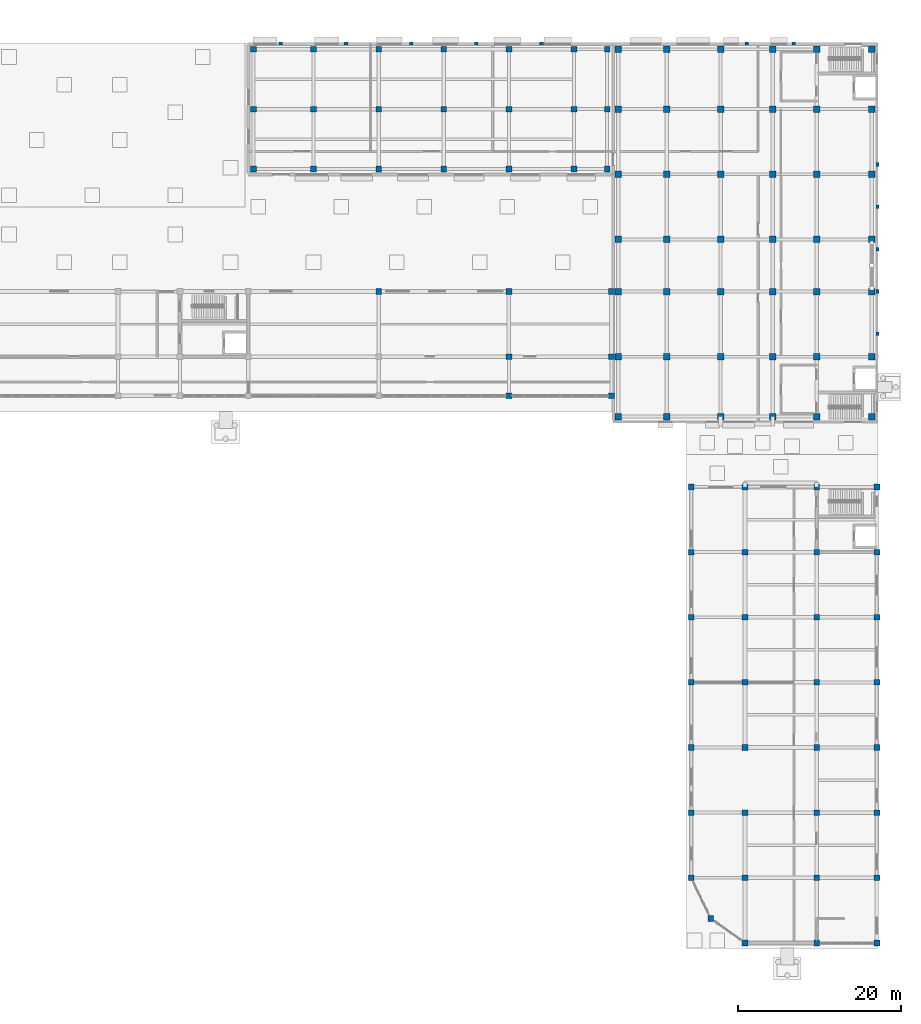
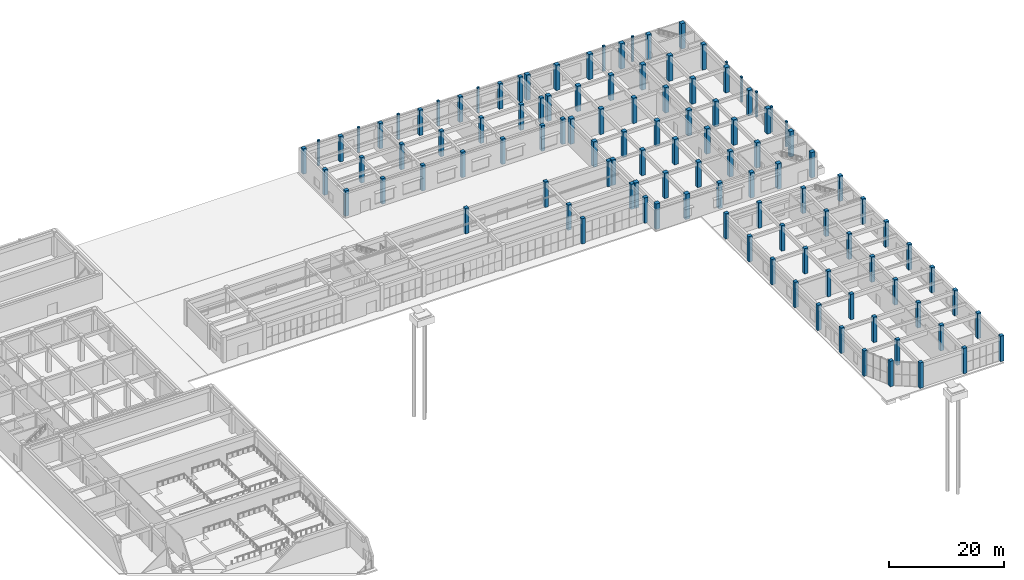
# One storey, part 4 of 46: 114 columns.
"""IFC4 building model written with IfcOpenShell, lengths in metres."""

import ifcopenshell
import ifcopenshell.guid

model = None  # the IFC model being written
_history = None  # IfcOwnerHistory: only IFC2X3 demands one
_inside = {}  # id of a spatial element -> (the spatial element, [elements in it])
_under = {}  # id of a project, library or spatial element -> (it, [spatial elements below it])
_declared = {}  # id of a project -> (the project, [libraries it declares])
_typed = {}  # id of a type object -> (the type object, [elements of that type])
_made_of = {}  # id of a material, layer set ... -> (it, [elements and type objects made of it])


def new_model(schema):
    """Start an empty IFC model of exactly this schema.

    Asked for "IFC4X3", IfcOpenShell would pick the latest addendum, in which some entities
    have other attributes; the version numbers below select the first issue.
    IFC2X3 requires an IfcOwnerHistory on every rooted entity: one is made here for all.
    """
    global model, _history
    if schema == "IFC4X3":
        model = ifcopenshell.file(schema_version=(4, 3, 0, 0))
    else:
        model = ifcopenshell.file(schema=schema)
    _inside.clear()
    _under.clear()
    _declared.clear()
    _typed.clear()
    _made_of.clear()
    _history = None
    if model.schema == "IFC2X3":
        org = make("IfcOrganization", Name="unknown")
        user = make(
            "IfcPersonAndOrganization",
            ThePerson=make("IfcPerson", FamilyName="unknown"),
            TheOrganization=org,
        )
        app = make(
            "IfcApplication",
            ApplicationDeveloper=org,
            Version="unknown",
            ApplicationFullName="unknown",
            ApplicationIdentifier="unknown",
        )
        _history = make(
            "IfcOwnerHistory",
            OwningUser=user,
            OwningApplication=app,
            ChangeAction="ADDED",
            CreationDate=0,
        )
    return model


def make(cls, **values):
    """One entity of the class cls with the attributes given. An attribute that is None is left unset."""
    return model.create_entity(
        cls, **{name: value for name, value in values.items() if value is not None}
    )


def rooted(cls, **values):
    """An entity with a GlobalId (a new one), such as an element, a storey or a relation."""
    return make(cls, GlobalId=ifcopenshell.guid.new(), OwnerHistory=_history, **values)


def si_unit(unit_type, name, prefix=None):
    """IfcSIUnit, for example si_unit("LENGTHUNIT", "METRE", prefix="MILLI")."""
    return make("IfcSIUnit", UnitType=unit_type, Prefix=prefix, Name=name)


def assignment(units):
    """IfcUnitAssignment: the units of a project."""
    return None if units is None else make("IfcUnitAssignment", Units=units)


def point(xyz):
    """IfcCartesianPoint."""
    return None if xyz is None else make("IfcCartesianPoint", Coordinates=xyz)


def direction(xyz):
    """IfcDirection."""
    return None if xyz is None else make("IfcDirection", DirectionRatios=xyz)


def frame(location, z_axis=None, x_axis=None):
    """IfcAxis2Placement3D, a coordinate frame: its origin and axes. An axis left out is left unset."""
    return make(
        "IfcAxis2Placement3D",
        Location=point(location),
        Axis=direction(z_axis),
        RefDirection=direction(x_axis),
    )


def frame_2d(location, x_axis=None):
    """IfcAxis2Placement2D, a coordinate frame in the plane: its origin and x axis."""
    return make(
        "IfcAxis2Placement2D", Location=point(location), RefDirection=direction(x_axis)
    )


def origin():
    """The frame at (0, 0, 0) with its axes left unset."""
    return frame((0.0, 0.0, 0.0))


def origin_2d():
    """The frame at (0, 0) in the plane with its x axis left unset."""
    return frame_2d((0.0, 0.0))


def place(relative_to, where):
    """IfcLocalPlacement: puts the frame where relative to a parent placement (None: the world)."""
    return make(
        "IfcLocalPlacement", PlacementRelTo=relative_to, RelativePlacement=where
    )


def context(
    kind, dimensions, precision=None, world=None, true_north=None, identifier=None
):
    """IfcGeometricRepresentationContext, for example the 3D "Model" context."""
    return make(
        "IfcGeometricRepresentationContext",
        ContextIdentifier=identifier,
        ContextType=kind,
        CoordinateSpaceDimension=dimensions,
        Precision=precision,
        WorldCoordinateSystem=world,
        TrueNorth=true_north,
    )


def subcontext(parent, identifier, kind, view, scale=None):
    """IfcGeometricRepresentationSubContext, for example "Body" below "Model"."""
    return make(
        "IfcGeometricRepresentationSubContext",
        ContextIdentifier=identifier,
        ContextType=kind,
        ParentContext=parent,
        TargetScale=scale,
        TargetView=view,
    )


def project(units=None, contexts=None):
    """IfcProject with its units and contexts."""
    return rooted(
        "IfcProject",
        Name="project",
        RepresentationContexts=contexts,
        UnitsInContext=assignment(units),
    )


def spatial(cls, under=None, at=None, **own):
    """A site, building, storey or space (cls), placed at a placement, below another one or the project."""
    s = rooted(cls, ObjectPlacement=at, **own)
    if under is not None:
        _under.setdefault(under.id(), (under, []))[1].append(s)
    return s


def profile(cls, at=None, kind="AREA", **sizes):
    """A parametric profile (cls). Its sizes go by their IFC names, for example OverallWidth=200.0."""
    return make(cls, ProfileType=kind, Position=at, **sizes)


def rectangle(**sizes):
    """IfcRectangleProfileDef."""
    return profile("IfcRectangleProfileDef", **sizes)


def extrude(swept, where, along, depth):
    """IfcExtrudedAreaSolid: the profile swept, set in the frame where, extruded along a direction by depth."""
    return make(
        "IfcExtrudedAreaSolid",
        SweptArea=swept,
        Position=where,
        ExtrudedDirection=direction(along),
        Depth=depth,
    )


def shape(context_of_items, identifier, shape_type, items):
    """IfcShapeRepresentation: the items that make up one representation, for example the "Body"."""
    return make(
        "IfcShapeRepresentation",
        ContextOfItems=context_of_items,
        RepresentationIdentifier=identifier,
        RepresentationType=shape_type,
        Items=items,
    )


def material(Name=None, Category=None):
    """IfcMaterial."""
    return make("IfcMaterial", Name=Name, Category=Category)


def material_profile(
    of_material, cross_section, Name=None, Category=None, Priority=None
):
    """IfcMaterialProfile: a cross section and its material."""
    return make(
        "IfcMaterialProfile",
        Name=Name,
        Material=of_material,
        Profile=cross_section,
        Priority=Priority,
        Category=Category,
    )


def profile_set(profiles, Name=None, composite=None):
    """IfcMaterialProfileSet."""
    return make(
        "IfcMaterialProfileSet",
        Name=Name,
        MaterialProfiles=profiles,
        CompositeProfile=composite,
    )


def made_of(thing, what):
    """Note that an element or type object is made of a material, layer set ...; save() writes the relation."""
    if what is not None:
        _made_of.setdefault(what.id(), (what, []))[1].append(thing)
    return thing


def type_object(cls, material=None, **own):
    """A type object (cls), such as IfcWallType, which elements share."""
    return made_of(rooted(cls, **own), material)


def element(
    cls,
    number,
    at=None,
    inside=None,
    cuts=None,
    type_object=None,
    material=None,
    context=None,
    identifier="Body",
    shape_type=None,
    held_by="IfcProductDefinitionShape",
    body=None,
    shapes=None,
    **own,
):
    """One element of the class cls, such as IfcWall. Its Tag is "e" and its number.

    at: its placement. inside: the storey or other place that contains it. cuts: it is an
    opening in that element (IfcRelVoidsElement). A single representation is given by context,
    identifier, shape_type and body (its items); several are given by shapes. held_by: the class
    of the entity that holds the representations. save() writes the other relations.
    """
    e = rooted(cls, Tag="e%d" % number, ObjectPlacement=at, **own)
    if body is not None:
        shapes = [shape(context, identifier, shape_type, body)]
    if shapes is not None:
        e.Representation = make(held_by, Representations=shapes)
    if inside is not None:
        _inside.setdefault(inside.id(), (inside, []))[1].append(e)
    if cuts is not None:
        rooted(
            "IfcRelVoidsElement", RelatingBuildingElement=cuts, RelatedOpeningElement=e
        )
    if type_object is not None:
        _typed.setdefault(type_object.id(), (type_object, []))[1].append(e)
    return made_of(e, material)


def aggregate(whole, parts):
    """IfcRelAggregates: a whole, such as a stair, and the parts it consists of."""
    return rooted("IfcRelAggregates", RelatingObject=whole, RelatedObjects=parts)


def save(model, path):
    """Write the relations noted so far, then the file.

    IfcRelAggregates (storeys below a building ...), IfcRelContainedInSpatialStructure (elements
    in a storey), IfcRelDefinesByType, IfcRelAssociatesMaterial and IfcRelDeclares: one each for
    every whole, place, type object, material and project.
    """
    for whole, parts in _under.values():
        aggregate(whole, parts)
    for where, things in _inside.values():
        rooted(
            "IfcRelContainedInSpatialStructure",
            RelatedElements=things,
            RelatingStructure=where,
        )
    for kind, things in _typed.values():
        rooted("IfcRelDefinesByType", RelatedObjects=things, RelatingType=kind)
    for what, things in _made_of.values():
        rooted("IfcRelAssociatesMaterial", RelatedObjects=things, RelatingMaterial=what)
    for by, libraries in _declared.values():
        rooted("IfcRelDeclares", RelatingContext=by, RelatedDefinitions=libraries)
    model.write(path)


model = new_model("IFC4")

# Units and contexts
model_context = context("Model", 3, precision=1e-05, world=origin(), true_north=direction((0.0, 1.0)))
body_context = subcontext(model_context, "Body", "Model", "MODEL_VIEW")
ifc_project = project(units=[si_unit("LENGTHUNIT", "METRE"), si_unit("AREAUNIT", "SQUARE_METRE"), si_unit("VOLUMEUNIT", "CUBIC_METRE"), si_unit("PLANEANGLEUNIT", "RADIAN"), si_unit("MASSUNIT", "GRAM", prefix="KILO")], contexts=[model_context])

# Site, building, storey
site_placement = place(None, origin())
site = spatial("IfcSite", under=ifc_project, at=site_placement, CompositionType="ELEMENT")
building_placement = place(site_placement, origin())
building = spatial("IfcBuilding", under=site, at=building_placement, Name="Cinchona Park Media Centre", CompositionType="ELEMENT")
storey_placement = place(building_placement, origin())
storey = spatial("IfcBuildingStorey", under=building, at=storey_placement, Name="L00", CompositionType="ELEMENT", Elevation=0.0)

# Columns
ifc_material_1 = material(Name="Concrete C40/50", Category="concrete")
ifc_material_profile_1 = material_profile(ifc_material_1, rectangle(XDim=0.800048828125, YDim=0.800048828125, at=origin_2d()), Name="RC 800X800")
ifc_profile_set_1 = profile_set([ifc_material_profile_1], Name="Concrete C40/50")
column_type_1 = type_object("IfcColumnType", Name="COL-C01-RC800X800", PredefinedType="COLUMN", material=ifc_profile_set_1)
for number, where, z_axis, x_axis, name in (
    (1, (140.239990234375, 72.239990234375, 0.0), (0.0, 0.0, 1.0), (1.0, 0.0, 0.0), "Column C01 L00"),
    (2, (140.239990234375, 79.60009765625, 0.0), (0.0, 0.0, 1.0), (1.0, 0.0, 0.0), "Column C01 L00"),
    (3, (140.239990234375, 87.60009765625, 0.0), (0.0, 0.0, 1.0), (1.0, 0.0, 0.0), "Column C01 L00"),
    (4, (140.239990234375, 94.0, 0.0), (0.0, 0.0, 1.0), (1.0, 0.0, 0.0), "Column C01 L00"),
    (5, (140.239990234375, 102.0, 0.0), (0.0, 0.0, 1.0), (1.0, 0.0, 0.0), "Column C01 L00"),
    (6, (140.239990234375, 110.0, 0.0), (0.0, 0.0, 1.0), (1.0, 0.0, 0.0), "Column C01 L00"),
    (7, (140.239990234375, 117.360107421875, 0.0), (0.0, 0.0, 1.0), (1.0, 0.0, 0.0), "Column C01 L00"),
    (8, (146.199951171875, 72.239990234375, 0.0), (0.0, 0.0, 1.0), (1.0, 0.0, 0.0), "Column C01 L00"),
    (9, (146.199951171875, 79.60009765625, 0.0), (0.0, 0.0, 1.0), (1.0, 0.0, 0.0), "Column C01 L00"),
    (10, (146.199951171875, 87.60009765625, 0.0), (0.0, 0.0, 1.0), (1.0, 0.0, 0.0), "Column C01 L00"),
    (11, (146.199951171875, 94.0, 0.0), (0.0, 0.0, 1.0), (1.0, 0.0, 0.0), "Column C01 L00"),
    (12, (146.199951171875, 102.0, 0.0), (0.0, 0.0, 1.0), (1.0, 0.0, 0.0), "Column C01 L00"),
    (13, (146.199951171875, 110.0, 0.0), (0.0, 0.0, 1.0), (1.0, 0.0, 0.0), "Column C01 L00"),
    (14, (146.199951171875, 117.360107421875, 0.0), (0.0, 0.0, 1.0), (1.0, 0.0, 0.0), "Column C01 L00"),
    (15, (152.800048828125, 72.239990234375, 0.0), (0.0, 0.0, 1.0), (1.0, 0.0, 0.0), "Column C01 L00"),
    (16, (152.800048828125, 79.60009765625, 0.0), (0.0, 0.0, 1.0), (1.0, 0.0, 0.0), "Column C01 L00"),
    (17, (152.800048828125, 87.60009765625, 0.0), (0.0, 0.0, 1.0), (1.0, 0.0, 0.0), "Column C01 L00"),
    (18, (152.800048828125, 94.0, 0.0), (0.0, 0.0, 1.0), (1.0, 0.0, 0.0), "Column C01 L00"),
    (19, (152.800048828125, 102.0, 0.0), (0.0, 0.0, 1.0), (1.0, 0.0, 0.0), "Column C01 L00"),
    (20, (152.800048828125, 110.0, 0.0), (0.0, 0.0, 1.0), (1.0, 0.0, 0.0), "Column C01 L00"),
    (21, (152.800048828125, 117.360107421875, 0.0), (0.0, 0.0, 1.0), (1.0, 0.0, 0.0), "Column C01 L00"),
    (22, (159.199951171875, 72.239990234375, 0.0), (0.0, 0.0, 1.0), (1.0, 0.0, 0.0), "Column C01 L00"),
    (23, (159.199951171875, 79.60009765625, 0.0), (0.0, 0.0, 1.0), (1.0, 0.0, 0.0), "Column C01 L00"),
    (24, (159.199951171875, 87.60009765625, 0.0), (0.0, 0.0, 1.0), (1.0, 0.0, 0.0), "Column C01 L00"),
    (25, (159.199951171875, 94.0, 0.0), (0.0, 0.0, 1.0), (1.0, 0.0, 0.0), "Column C01 L00"),
    (26, (159.199951171875, 102.0, 0.0), (0.0, 0.0, 1.0), (1.0, 0.0, 0.0), "Column C01 L00"),
    (27, (159.199951171875, 110.0, 0.0), (0.0, 0.0, 1.0), (1.0, 0.0, 0.0), "Column C01 L00"),
    (28, (159.199951171875, 117.360107421875, 0.0), (0.0, 0.0, 1.0), (1.0, 0.0, 0.0), "Column C01 L00"),
    (29, (164.60009765625, 72.239990234375, 0.0), (0.0, 0.0, 1.0), (1.0, 0.0, 0.0), "Column C01 L00"),
    (30, (164.60009765625, 79.60009765625, 0.0), (0.0, 0.0, 1.0), (1.0, 0.0, 0.0), "Column C01 L00"),
    (31, (164.60009765625, 87.60009765625, 0.0), (0.0, 0.0, 1.0), (1.0, 0.0, 0.0), "Column C01 L00"),
    (32, (164.60009765625, 94.0, 0.0), (0.0, 0.0, 1.0), (1.0, 0.0, 0.0), "Column C01 L00"),
    (33, (164.60009765625, 102.0, 0.0), (0.0, 0.0, 1.0), (1.0, 0.0, 0.0), "Column C01 L00"),
    (34, (164.60009765625, 110.0, 0.0), (0.0, 0.0, 1.0), (1.0, 0.0, 0.0), "Column C01 L00"),
    (35, (164.60009765625, 117.360107421875, 0.0), (0.0, 0.0, 1.0), (1.0, 0.0, 0.0), "Column C01 L00"),
    (36, (171.360107421875, 72.239990234375, 0.0), (0.0, 0.0, 1.0), (1.0, 0.0, 0.0), "Column C01 L00"),
    (37, (171.360107421875, 79.60009765625, 0.0), (0.0, 0.0, 1.0), (1.0, 0.0, 0.0), "Column C01 L00"),
    (38, (171.360107421875, 87.60009765625, 0.0), (0.0, 0.0, 1.0), (1.0, 0.0, 0.0), "Column C01 L00"),
    (39, (171.360107421875, 94.0, 0.0), (0.0, 0.0, 1.0), (1.0, 0.0, 0.0), "Column C01 L00"),
    (40, (171.360107421875, 102.0, 0.0), (0.0, 0.0, 1.0), (1.0, 0.0, 0.0), "Column C01 L00"),
    (41, (171.360107421875, 110.0, 0.0), (0.0, 0.0, 1.0), (1.0, 0.0, 0.0), "Column C01 L00"),
    (42, (171.360107421875, 117.360107421875, 0.0), (0.0, 0.0, 1.0), (1.0, 0.0, 0.0), "Column C01 L00"),
):
    element("IfcColumn", number, at=place(storey_placement, frame(where, z_axis=z_axis, x_axis=x_axis)), inside=storey, type_object=column_type_1, Name=name, PredefinedType="COLUMN", context=body_context, shape_type="SweptSolid", body=[
        extrude(rectangle(XDim=0.800048828125, YDim=0.800048828125, at=origin_2d()), origin(), (0.0, 0.0, 1.0), 5.39990234375),
    ])
ifc_material_2 = material(Name="Concrete C40/50", Category="concrete")
ifc_material_profile_2 = material_profile(ifc_material_2, rectangle(XDim=0.699951171875, YDim=0.699951171875, at=origin_2d()), Name="RC 700X700")
ifc_profile_set_2 = profile_set([ifc_material_profile_2], Name="Concrete C40/50")
column_type_2 = type_object("IfcColumnType", Name="COL-C02-RC700X700", PredefinedType="COLUMN", material=ifc_profile_set_2)
for number, where, z_axis, x_axis, name in (
    (43, (95.43994140625, 102.639892578125, 0.0), (0.0, 0.0, 1.0), (1.0, 0.0, 0.0), "Column C02 L00"),
    (44, (95.43994140625, 110.0, 0.0), (0.0, 0.0, 1.0), (1.0, 0.0, 0.0), "Column C02 L00"),
    (45, (95.43994140625, 117.360107421875, 0.0), (0.0, 0.0, 1.0), (1.0, 0.0, 0.0), "Column C02 L00"),
    (46, (102.800048828125, 102.639892578125, 0.0), (0.0, 0.0, 1.0), (1.0, 0.0, 0.0), "Column C02 L00"),
    (47, (102.800048828125, 110.0, 0.0), (0.0, 0.0, 1.0), (1.0, 0.0, 0.0), "Column C02 L00"),
    (48, (102.800048828125, 117.360107421875, 0.0), (0.0, 0.0, 1.0), (1.0, 0.0, 0.0), "Column C02 L00"),
    (49, (110.800048828125, 102.639892578125, 0.0), (0.0, 0.0, 1.0), (1.0, 0.0, 0.0), "Column C02 L00"),
    (50, (110.800048828125, 110.0, 0.0), (0.0, 0.0, 1.0), (1.0, 0.0, 0.0), "Column C02 L00"),
    (51, (110.800048828125, 117.360107421875, 0.0), (0.0, 0.0, 1.0), (1.0, 0.0, 0.0), "Column C02 L00"),
    (52, (118.800048828125, 102.639892578125, 0.0), (0.0, 0.0, 1.0), (1.0, 0.0, 0.0), "Column C02 L00"),
    (53, (118.800048828125, 110.0, 0.0), (0.0, 0.0, 1.0), (1.0, 0.0, 0.0), "Column C02 L00"),
    (54, (118.800048828125, 117.360107421875, 0.0), (0.0, 0.0, 1.0), (1.0, 0.0, 0.0), "Column C02 L00"),
    (55, (126.800048828125, 102.639892578125, 0.0), (0.0, 0.0, 1.0), (1.0, 0.0, 0.0), "Column C02 L00"),
    (56, (126.800048828125, 110.0, 0.0), (0.0, 0.0, 1.0), (1.0, 0.0, 0.0), "Column C02 L00"),
    (57, (126.800048828125, 117.360107421875, 0.0), (0.0, 0.0, 1.0), (1.0, 0.0, 0.0), "Column C02 L00"),
    (58, (134.800048828125, 102.639892578125, 0.0), (0.0, 0.0, 1.0), (1.0, 0.0, 0.0), "Column C02 L00"),
    (59, (134.800048828125, 110.0, 0.0), (0.0, 0.0, 1.0), (1.0, 0.0, 0.0), "Column C02 L00"),
    (60, (134.800048828125, 117.360107421875, 0.0), (0.0, 0.0, 1.0), (1.0, 0.0, 0.0), "Column C02 L00"),
    (61, (138.860107421875, 102.639892578125, 0.0), (0.0, 0.0, 1.0), (1.0, 0.0, 0.0), "Column C02 L00"),
    (62, (138.860107421875, 110.0, 0.0), (0.0, 0.0, 1.0), (1.0, 0.0, 0.0), "Column C02 L00"),
    (63, (138.860107421875, 117.360107421875, 0.0), (0.0, 0.0, 1.0), (1.0, 0.0, 0.0), "Column C02 L00"),
    (64, (110.800048828125, 87.60009765625, 0.0), (0.0, 0.0, 1.0), (1.0, 0.0, 0.0), "Column C02 L00"),
    (65, (126.800048828125, 74.800048828125, 0.0), (0.0, 0.0, 1.0), (1.0, 0.0, 0.0), "Column C02 L00"),
    (66, (126.800048828125, 79.60009765625, 0.0), (0.0, 0.0, 1.0), (1.0, 0.0, 0.0), "Column C02 L00"),
    (67, (126.800048828125, 87.60009765625, 0.0), (0.0, 0.0, 1.0), (1.0, 0.0, 0.0), "Column C02 L00"),
    (68, (139.39990234375, 74.800048828125, 0.0), (0.0, 0.0, 1.0), (1.0, 0.0, 0.0), "Column C02 L00"),
    (69, (139.39990234375, 79.60009765625, 0.0), (0.0, 0.0, 1.0), (1.0, 0.0, 0.0), "Column C02 L00"),
    (70, (139.39990234375, 87.60009765625, 0.0), (0.0, 0.0, 1.0), (1.0, 0.0, 0.0), "Column C02 L00"),
    (71, (149.199951171875, 15.60009765625, 0.0), (0.0, 0.0, 1.0), (1.0, 0.0, 0.0), "Column C02 L00"),
    (72, (149.199951171875, 23.60009765625, 0.0), (0.0, 0.0, 1.0), (1.0, 0.0, 0.0), "Column C02 L00"),
    (73, (149.199951171875, 31.60009765625, 0.0), (0.0, 0.0, 1.0), (1.0, 0.0, 0.0), "Column C02 L00"),
    (74, (149.199951171875, 39.60009765625, 0.0), (0.0, 0.0, 1.0), (1.0, 0.0, 0.0), "Column C02 L00"),
    (75, (149.199951171875, 47.60009765625, 0.0), (0.0, 0.0, 1.0), (1.0, 0.0, 0.0), "Column C02 L00"),
    (76, (149.199951171875, 55.60009765625, 0.0), (0.0, 0.0, 1.0), (1.0, 0.0, 0.0), "Column C02 L00"),
    (77, (149.199951171875, 63.60009765625, 0.0), (0.0, 0.0, 1.0), (1.0, 0.0, 0.0), "Column C02 L00"),
    (78, (151.60009765625, 10.60009765625, 0.0), (0.0, 0.0, 1.0), (1.0, 0.0, 0.0), "Column C02 L00"),
    (79, (155.800048828125, 7.60009765625, 0.0), (0.0, 0.0, 1.0), (1.0, 0.0, 0.0), "Column C02 L00"),
    (80, (155.800048828125, 15.60009765625, 0.0), (0.0, 0.0, 1.0), (1.0, 0.0, 0.0), "Column C02 L00"),
    (81, (155.800048828125, 23.60009765625, 0.0), (0.0, 0.0, 1.0), (1.0, 0.0, 0.0), "Column C02 L00"),
    (82, (155.800048828125, 31.60009765625, 0.0), (0.0, 0.0, 1.0), (1.0, 0.0, 0.0), "Column C02 L00"),
    (83, (155.800048828125, 39.60009765625, 0.0), (0.0, 0.0, 1.0), (1.0, 0.0, 0.0), "Column C02 L00"),
    (84, (155.800048828125, 47.60009765625, 0.0), (0.0, 0.0, 1.0), (1.0, 0.0, 0.0), "Column C02 L00"),
    (85, (155.800048828125, 55.60009765625, 0.0), (0.0, 0.0, 1.0), (1.0, 0.0, 0.0), "Column C02 L00"),
    (86, (155.800048828125, 63.60009765625, 0.0), (0.0, 0.0, 1.0), (1.0, 0.0, 0.0), "Column C02 L00"),
    (87, (164.60009765625, 7.60009765625, 0.0), (0.0, 0.0, 1.0), (1.0, 0.0, 0.0), "Column C02 L00"),
    (88, (164.60009765625, 15.60009765625, 0.0), (0.0, 0.0, 1.0), (1.0, 0.0, 0.0), "Column C02 L00"),
    (89, (164.60009765625, 23.60009765625, 0.0), (0.0, 0.0, 1.0), (1.0, 0.0, 0.0), "Column C02 L00"),
    (90, (164.60009765625, 31.60009765625, 0.0), (0.0, 0.0, 1.0), (1.0, 0.0, 0.0), "Column C02 L00"),
    (91, (164.60009765625, 39.60009765625, 0.0), (0.0, 0.0, 1.0), (1.0, 0.0, 0.0), "Column C02 L00"),
    (92, (164.60009765625, 47.60009765625, 0.0), (0.0, 0.0, 1.0), (1.0, 0.0, 0.0), "Column C02 L00"),
    (93, (164.60009765625, 55.60009765625, 0.0), (0.0, 0.0, 1.0), (1.0, 0.0, 0.0), "Column C02 L00"),
    (94, (164.60009765625, 63.60009765625, 0.0), (0.0, 0.0, 1.0), (1.0, 0.0, 0.0), "Column C02 L00"),
    (95, (172.0, 7.60009765625, 0.0), (0.0, 0.0, 1.0), (1.0, 0.0, 0.0), "Column C02 L00"),
    (96, (172.0, 15.60009765625, 0.0), (0.0, 0.0, 1.0), (1.0, 0.0, 0.0), "Column C02 L00"),
    (97, (172.0, 23.60009765625, 0.0), (0.0, 0.0, 1.0), (1.0, 0.0, 0.0), "Column C02 L00"),
    (98, (172.0, 31.60009765625, 0.0), (0.0, 0.0, 1.0), (1.0, 0.0, 0.0), "Column C02 L00"),
    (99, (172.0, 39.60009765625, 0.0), (0.0, 0.0, 1.0), (1.0, 0.0, 0.0), "Column C02 L00"),
    (100, (172.0, 47.60009765625, 0.0), (0.0, 0.0, 1.0), (1.0, 0.0, 0.0), "Column C02 L00"),
    (101, (172.0, 55.60009765625, 0.0), (0.0, 0.0, 1.0), (1.0, 0.0, 0.0), "Column C02 L00"),
    (102, (172.0, 63.60009765625, 0.0), (0.0, 0.0, 1.0), (1.0, 0.0, 0.0), "Column C02 L00"),
):
    element("IfcColumn", number, at=place(storey_placement, frame(where, z_axis=z_axis, x_axis=x_axis)), inside=storey, type_object=column_type_2, Name=name, PredefinedType="COLUMN", context=body_context, shape_type="SweptSolid", body=[
        extrude(rectangle(XDim=0.699951171875, YDim=0.699951171875, at=origin_2d()), origin(), (0.0, 0.0, 1.0), 5.39990234375),
    ])
ifc_material_3 = material(Name="Concrete C40/50", Category="concrete")
ifc_material_profile_3 = material_profile(ifc_material_3, rectangle(XDim=0.35009765625, YDim=0.449951171875, at=origin_2d()), Name="RC 350X450")
ifc_profile_set_3 = profile_set([ifc_material_profile_3], Name="Concrete C40/50")
column_type_3 = type_object("IfcColumnType", Name="COL-CP01-RC350X450", PredefinedType="PILASTER", material=ifc_profile_set_3)
for number, where, z_axis, x_axis, name in (
    (103, (98.800048828125, 118.080078125, 0.0), (0.0, 0.0, 1.0), (0.0, 1.0, 0.0), "Pilaster CP01 L00"),
    (104, (106.800048828125, 118.080078125, 0.0), (0.0, 0.0, 1.0), (0.0, 1.0, 0.0), "Pilaster CP01 L00"),
    (105, (114.800048828125, 118.080078125, 0.0), (0.0, 0.0, 1.0), (0.0, 1.0, 0.0), "Pilaster CP01 L00"),
    (106, (122.800048828125, 118.080078125, 0.0), (0.0, 0.0, 1.0), (0.0, 1.0, 0.0), "Pilaster CP01 L00"),
    (107, (130.800048828125, 118.080078125, 0.0), (0.0, 0.0, 1.0), (0.0, 1.0, 0.0), "Pilaster CP01 L00"),
    (108, (172.080078125, 82.39990234375, 0.0), (0.0, 0.0, 1.0), (1.0, 0.0, 0.0), "Pilaster CP01 L00"),
    (109, (172.080078125, 87.60009765625, 0.0), (0.0, 0.0, 1.0), (1.0, 0.0, 0.0), "Pilaster CP01 L00"),
    (110, (172.080078125, 92.800048828125, 0.0), (0.0, 0.0, 1.0), (1.0, 0.0, 0.0), "Pilaster CP01 L00"),
    (111, (172.080078125, 98.0, 0.0), (0.0, 0.0, 1.0), (1.0, 0.0, 0.0), "Pilaster CP01 L00"),
    (112, (172.080078125, 103.199951171875, 0.0), (0.0, 0.0, 1.0), (1.0, 0.0, 0.0), "Pilaster CP01 L00"),
    (113, (156.0, 118.080078125, 0.0), (0.0, 0.0, 1.0), (0.0, 1.0, 0.0), "Pilaster CP01 L00"),
    (114, (161.800048828125, 118.080078125, 0.0), (0.0, 0.0, 1.0), (0.0, 1.0, 0.0), "Pilaster CP01 L00"),
):
    element("IfcColumn", number, at=place(storey_placement, frame(where, z_axis=z_axis, x_axis=x_axis)), inside=storey, type_object=column_type_3, Name=name, PredefinedType="PILASTER", context=body_context, shape_type="SweptSolid", body=[
        extrude(rectangle(XDim=0.35009765625, YDim=0.449951171875, at=origin_2d()), origin(), (0.0, 0.0, 1.0), 5.39990234375),
    ])

save(model, "model.ifc")
